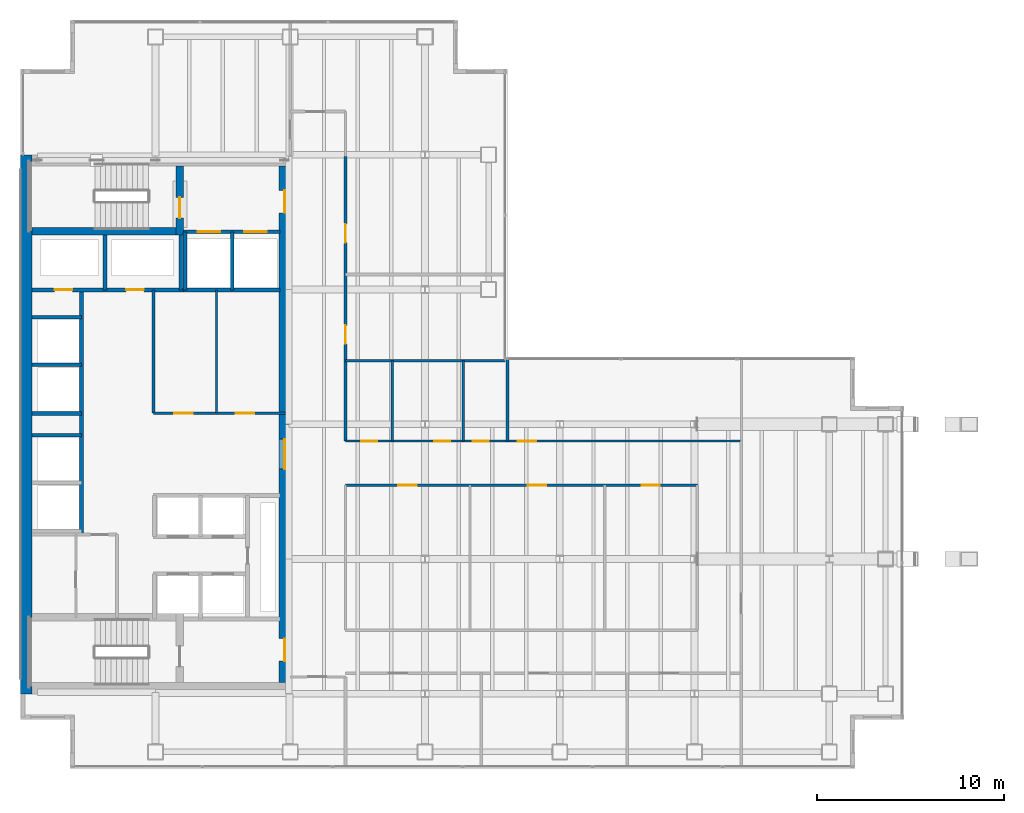
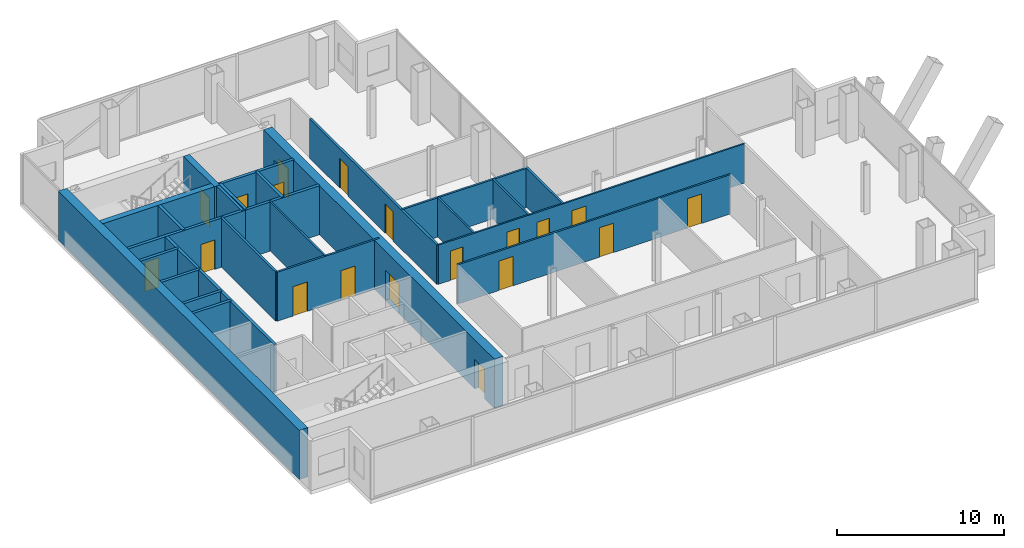
# One storey, part 21 of 23: 26 walls, 19 doors, 19 openings.
"""IFC4 building model written with IfcOpenShell, lengths in metres."""

from ifc_helpers import new_model, si_unit, direction, frame, frame_2d, origin, place, context, subcontext, project, spatial, rectangle, extrude, material, layer, layer_set, type_object, element, fill, save


model = new_model("IFC4")

# Units and contexts
model_context = context("Model", 3, precision=1e-05, world=origin(), true_north=direction((0.0, 1.0)))
body_context = subcontext(model_context, "Body", "Model", "MODEL_VIEW")
ifc_project = project(units=[si_unit("LENGTHUNIT", "METRE"), si_unit("AREAUNIT", "SQUARE_METRE"), si_unit("VOLUMEUNIT", "CUBIC_METRE"), si_unit("PLANEANGLEUNIT", "RADIAN"), si_unit("MASSUNIT", "GRAM", prefix="KILO")], contexts=[model_context])

# Site, building, storey
site_placement = place(None, origin())
site = spatial("IfcSite", under=ifc_project, at=site_placement, CompositionType="ELEMENT")
building_placement = place(site_placement, origin())
building = spatial("IfcBuilding", under=site, at=building_placement, Name="Cobrela Telecom Tower", CompositionType="ELEMENT")
storey_placement = place(building_placement, frame((0.0, 0.0, 159.949951171875)))
storey = spatial("IfcBuildingStorey", under=building, at=storey_placement, Name="L40", CompositionType="ELEMENT", Elevation=159.949951171875)

# Wall
ifc_material_1 = material(Name="Concrete C50/60", Category="concrete")
ifc_layer_1 = layer(ifc_material_1, 0.60009765625)
ifc_layer_set_1 = layer_set([ifc_layer_1], Name="Concrete C50/60")
wall_type_1 = type_object("IfcWallType", Name="WALL-CORE-C50-600", PredefinedType="SHEAR", material=ifc_layer_set_1)
wall_1_placement = place(storey_placement, frame((0.300048828125, 7.199951171875, 0.0), z_axis=(0.0, 0.0, 1.0), x_axis=(0.0, 1.0, 0.0)))
element("IfcWall", 1, at=wall_1_placement, inside=storey, type_object=wall_type_1, Name="L40 West Core Shear Wall", PredefinedType="SHEAR", context=body_context, shape_type="SweptSolid", body=[
    extrude(rectangle(XDim=28.800048828125, YDim=0.60009765625, at=frame_2d((14.39990234375, 0.0))), origin(), (0.0, 0.0, 1.0), 3.580078125),
])

# Wall, openings, doors
wall_2_placement = place(storey_placement, frame((14.10009765625, 35.39990234375, 0.0), z_axis=(0.0, 0.0, 1.0), x_axis=(0.0, -1.0, 0.0)))
wall_2 = element("IfcWall", 2, at=wall_2_placement, inside=storey, type_object=wall_type_1, Name="L40 East Core Shear Wall", PredefinedType="SHEAR", context=body_context, shape_type="SweptSolid", body=[
    extrude(rectangle(XDim=27.599853515625, YDim=0.60009765625, at=frame_2d((13.7998046875, 0.0))), origin(), (0.0, 0.0, 1.0), 3.580078125),
])
opening_1_placement = place(wall_2_placement, frame((1.300048828125, 0.0, 0.0)))
opening_1 = element("IfcOpeningElement", 3, at=opening_1_placement, cuts=wall_2, Name="Opening DR-19", PredefinedType="OPENING", context=body_context, shape_type="SweptSolid", body=[
    extrude(rectangle(XDim=1.199951171875, YDim=2.14990234375, at=frame_2d((0.60009765625, 1.074951171875))), frame((0.0, 0.31201171875, 0.0), z_axis=(0.0, -1.0, 0.0), x_axis=(1.0, 0.0, 0.0)), (0.0, 0.0, 1.0), 0.6240234375),
])
opening_2_placement = place(wall_2_placement, frame((25.25, 0.0, 0.0)))
opening_2 = element("IfcOpeningElement", 4, at=opening_2_placement, cuts=wall_2, Name="Opening DR-19", PredefinedType="OPENING", context=body_context, shape_type="SweptSolid", body=[
    extrude(rectangle(XDim=1.199951171875, YDim=2.14990234375, at=frame_2d((0.60009765625, 1.074951171875))), frame((0.0, 0.31201171875, 0.0), z_axis=(0.0, -1.0, 0.0), x_axis=(1.0, 0.0, 0.0)), (0.0, 0.0, 1.0), 0.6240234375),
])
opening_3_placement = place(wall_2_placement, frame((14.60009765625, 0.0, 0.0)))
opening_3 = element("IfcOpeningElement", 5, at=opening_3_placement, cuts=wall_2, Name="Opening DR-51", PredefinedType="OPENING", context=body_context, shape_type="SweptSolid", body=[
    extrude(rectangle(XDim=1.60009765625, YDim=2.199951171875, at=frame_2d((0.800048828125, 1.10009765625))), frame((0.0, 0.31201171875, 0.0), z_axis=(0.0, -1.0, 0.0), x_axis=(1.0, 0.0, 0.0)), (0.0, 0.0, 1.0), 0.6240234375),
])
ifc_material_2 = material(Name="Steel ASTM A36", Category="steel")
door_type_1 = type_object("IfcDoorType", Name="DOOR-FD60-1200", OperationType="SINGLE_SWING_LEFT", PredefinedType="DOOR", material=ifc_material_2)
door_1_placement = place(opening_1_placement, origin())
door_1 = element("IfcDoor", 6, at=door_1_placement, inside=storey, type_object=door_type_1, Name="L40 Door DR-19", OperationType="SINGLE_SWING_LEFT", OverallHeight=2.14990234375, OverallWidth=1.199951171875, PredefinedType="DOOR", context=body_context, shape_type="SweptSolid", body=[
    extrude(rectangle(XDim=1.199951171875, YDim=2.14990234375, at=frame_2d((0.60009765625, 1.074951171875))), frame((0.0, 0.02490234375, 0.0), z_axis=(0.0, -1.0, 0.0), x_axis=(1.0, 0.0, 0.0)), (0.0, 0.0, 1.0), 0.050048828125),
])
fill(opening_1, door_1)
door_2_placement = place(opening_2_placement, origin())
door_2 = element("IfcDoor", 7, at=door_2_placement, inside=storey, type_object=door_type_1, Name="L40 Door DR-19", OperationType="SINGLE_SWING_RIGHT", OverallHeight=2.14990234375, OverallWidth=1.199951171875, PredefinedType="DOOR", context=body_context, shape_type="SweptSolid", body=[
    extrude(rectangle(XDim=1.199951171875, YDim=2.14990234375, at=frame_2d((0.60009765625, 1.074951171875))), frame((0.0, 0.02490234375, 0.0), z_axis=(0.0, -1.0, 0.0), x_axis=(1.0, 0.0, 0.0)), (0.0, 0.0, 1.0), 0.050048828125),
])
fill(opening_2, door_2)
door_type_2 = type_object("IfcDoorType", Name="DOOR-FD60-1600", OperationType="SINGLE_SWING_LEFT", PredefinedType="DOOR", material=ifc_material_2)
door_3_placement = place(opening_3_placement, origin())
door_3 = element("IfcDoor", 8, at=door_3_placement, inside=storey, type_object=door_type_2, Name="L40 Door DR-51", OperationType="DOUBLE_DOOR_SINGLE_SWING", OverallHeight=2.199951171875, OverallWidth=1.60009765625, PredefinedType="DOOR", context=body_context, shape_type="SweptSolid", body=[
    extrude(rectangle(XDim=1.60009765625, YDim=2.199951171875, at=frame_2d((0.800048828125, 1.10009765625))), frame((0.0, 0.02490234375, 0.0), z_axis=(0.0, -1.0, 0.0), x_axis=(1.0, 0.0, 0.0)), (0.0, 0.0, 1.0), 0.050048828125),
])
fill(opening_3, door_3)

# Wall
ifc_material_3 = material(Name="Fire-Rated Gypsum Plasterboard")
ifc_layer_2 = layer(ifc_material_3, 0.110107421875)
ifc_layer_set_2 = layer_set([ifc_layer_2], Name="Fire-Rated Gypsum Plasterboard")
wall_type_2 = type_object("IfcWallType", Name="WALL-PART-110", PredefinedType="PARTITIONING", material=ifc_layer_set_2)
wall_3_placement = place(storey_placement, frame((10.449951171875, 22.199951171875, 0.0), z_axis=(0.0, 0.0, 1.0), x_axis=(0.0, 1.0, 0.0)))
element("IfcWall", 9, at=wall_3_placement, inside=storey, type_object=wall_type_2, Name="L40 Interior Partition CW-RECL-V", PredefinedType="PARTITIONING", context=body_context, shape_type="SweptSolid", body=[
    extrude(rectangle(XDim=6.580078125, YDim=0.110107421875, at=frame_2d((3.2900390625, 0.0))), origin(), (0.0, 0.0, 1.0), 3.580078125),
])

# Wall, openings, doors
wall_4_placement = place(storey_placement, frame((17.35009765625, 20.699951171875, 0.0), z_axis=(0.0, 0.0, 1.0), x_axis=(1.0, 0.0, 0.0)))
wall_4 = element("IfcWall", 10, at=wall_4_placement, inside=storey, type_object=wall_type_2, Name="L40 Interior Partition W-UN-N", PredefinedType="PARTITIONING", context=body_context, shape_type="SweptSolid", body=[
    extrude(rectangle(XDim=21.14990234375, YDim=0.110107421875, at=frame_2d((10.574951171875, 0.0))), origin(), (0.0, 0.0, 1.0), 2.869140625),
])
opening_4_placement = place(wall_4_placement, frame((0.85009765625, 0.0, 0.0)))
opening_4 = element("IfcOpeningElement", 11, at=opening_4_placement, cuts=wall_4, Name="Opening DR-11", PredefinedType="OPENING", context=body_context, shape_type="SweptSolid", body=[
    extrude(rectangle(XDim=0.85009765625, YDim=2.14990234375, at=frame_2d((0.425048828125, 1.074951171875))), frame((0.0, 0.06689453125, 0.0), z_axis=(0.0, -1.0, 0.0), x_axis=(1.0, 0.0, 0.0)), (0.0, 0.0, 1.0), 0.134033203125),
])
opening_5_placement = place(wall_4_placement, frame((4.75, 0.0, 0.0)))
opening_5 = element("IfcOpeningElement", 12, at=opening_5_placement, cuts=wall_4, Name="Opening DR-11", PredefinedType="OPENING", context=body_context, shape_type="SweptSolid", body=[
    extrude(rectangle(XDim=0.85009765625, YDim=2.14990234375, at=frame_2d((0.425048828125, 1.074951171875))), frame((0.0, 0.06689453125, 0.0), z_axis=(0.0, -1.0, 0.0), x_axis=(1.0, 0.0, 0.0)), (0.0, 0.0, 1.0), 0.134033203125),
])
opening_6_placement = place(wall_4_placement, frame((6.81005859375, 0.0, 0.0)))
opening_6 = element("IfcOpeningElement", 13, at=opening_6_placement, cuts=wall_4, Name="Opening DR-11", PredefinedType="OPENING", context=body_context, shape_type="SweptSolid", body=[
    extrude(rectangle(XDim=0.85009765625, YDim=2.14990234375, at=frame_2d((0.425048828125, 1.074951171875))), frame((0.0, 0.06689453125, 0.0), z_axis=(0.0, -1.0, 0.0), x_axis=(1.0, 0.0, 0.0)), (0.0, 0.0, 1.0), 0.134033203125),
])
opening_7_placement = place(wall_4_placement, frame((9.2099609375, 0.0, 0.0)))
opening_7 = element("IfcOpeningElement", 14, at=opening_7_placement, cuts=wall_4, Name="Opening DR-17", PredefinedType="OPENING", context=body_context, shape_type="SweptSolid", body=[
    extrude(rectangle(XDim=0.97998046875, YDim=2.14990234375, at=frame_2d((0.489990234375, 1.074951171875))), frame((0.0, 0.06689453125, 0.0), z_axis=(0.0, -1.0, 0.0), x_axis=(1.0, 0.0, 0.0)), (0.0, 0.0, 1.0), 0.134033203125),
])
ifc_material_4 = material(Name="Solid Engineered Oak Timber", Category="wood")
door_type_3 = type_object("IfcDoorType", Name="DOOR-INT-850", OperationType="SINGLE_SWING_LEFT", PredefinedType="DOOR", material=ifc_material_4)
door_4_placement = place(opening_4_placement, origin())
door_4 = element("IfcDoor", 15, at=door_4_placement, inside=storey, type_object=door_type_3, Name="L40 Door DR-11", OperationType="SINGLE_SWING_LEFT", OverallHeight=2.14990234375, OverallWidth=0.85009765625, PredefinedType="DOOR", context=body_context, shape_type="SweptSolid", body=[
    extrude(rectangle(XDim=0.85009765625, YDim=2.14990234375, at=frame_2d((0.425048828125, 1.074951171875))), frame((0.0, 0.02490234375, 0.0), z_axis=(0.0, -1.0, 0.0), x_axis=(1.0, 0.0, 0.0)), (0.0, 0.0, 1.0), 0.050048828125),
])
fill(opening_4, door_4)
door_5_placement = place(opening_5_placement, origin())
door_5 = element("IfcDoor", 16, at=door_5_placement, inside=storey, type_object=door_type_3, Name="L40 Door DR-11", OperationType="SINGLE_SWING_RIGHT", OverallHeight=2.14990234375, OverallWidth=0.85009765625, PredefinedType="DOOR", context=body_context, shape_type="SweptSolid", body=[
    extrude(rectangle(XDim=0.85009765625, YDim=2.14990234375, at=frame_2d((0.425048828125, 1.074951171875))), frame((0.0, 0.02490234375, 0.0), z_axis=(0.0, -1.0, 0.0), x_axis=(1.0, 0.0, 0.0)), (0.0, 0.0, 1.0), 0.050048828125),
])
fill(opening_5, door_5)
door_6_placement = place(opening_6_placement, origin())
door_6 = element("IfcDoor", 17, at=door_6_placement, inside=storey, type_object=door_type_3, Name="L40 Door DR-11", OperationType="SINGLE_SWING_LEFT", OverallHeight=2.14990234375, OverallWidth=0.85009765625, PredefinedType="DOOR", context=body_context, shape_type="SweptSolid", body=[
    extrude(rectangle(XDim=0.85009765625, YDim=2.14990234375, at=frame_2d((0.425048828125, 1.074951171875))), frame((0.0, 0.02490234375, 0.0), z_axis=(0.0, -1.0, 0.0), x_axis=(1.0, 0.0, 0.0)), (0.0, 0.0, 1.0), 0.050048828125),
])
fill(opening_6, door_6)
door_type_4 = type_object("IfcDoorType", Name="DOOR-INT-980", OperationType="SINGLE_SWING_LEFT", PredefinedType="DOOR", material=ifc_material_4)
door_7_placement = place(opening_7_placement, origin())
door_7 = element("IfcDoor", 18, at=door_7_placement, inside=storey, type_object=door_type_4, Name="L40 Door DR-17", OperationType="SINGLE_SWING_RIGHT", OverallHeight=2.14990234375, OverallWidth=0.97998046875, PredefinedType="DOOR", context=body_context, shape_type="SweptSolid", body=[
    extrude(rectangle(XDim=0.97998046875, YDim=2.14990234375, at=frame_2d((0.489990234375, 1.074951171875))), frame((0.0, 0.02490234375, 0.0), z_axis=(0.0, -1.0, 0.0), x_axis=(1.0, 0.0, 0.0)), (0.0, 0.0, 1.0), 0.050048828125),
])
fill(opening_7, door_7)

ifc_layer_3 = layer(ifc_material_3, 0.125)
ifc_layer_set_3 = layer_set([ifc_layer_3], Name="Fire-Rated Gypsum Plasterboard")
wall_type_3 = type_object("IfcWallType", Name="WALL-PART-125", PredefinedType="PARTITIONING", material=ifc_layer_set_3)
wall_5_placement = place(storey_placement, frame((17.35009765625, 18.35009765625, 0.0), z_axis=(0.0, 0.0, 1.0), x_axis=(1.0, 0.0, 0.0)))
wall_5 = element("IfcWall", 19, at=wall_5_placement, inside=storey, type_object=wall_type_3, Name="L40 Interior Partition W-ISL-N", PredefinedType="PARTITIONING", context=body_context, shape_type="SweptSolid", body=[
    extrude(rectangle(XDim=18.7998046875, YDim=0.125, at=frame_2d((9.39990234375, 0.0))), origin(), (0.0, 0.0, 1.0), 2.869140625),
])
opening_8_placement = place(wall_5_placement, frame((2.820068359375, 0.0, 0.0)))
opening_8 = element("IfcOpeningElement", 20, at=opening_8_placement, cuts=wall_5, Name="Opening DR-17", PredefinedType="OPENING", context=body_context, shape_type="SweptSolid", body=[
    extrude(rectangle(XDim=0.97998046875, YDim=2.14990234375, at=frame_2d((0.489990234375, 1.074951171875))), frame((0.0, 0.074462890625, 0.0), z_axis=(0.0, -1.0, 0.0), x_axis=(1.0, 0.0, 0.0)), (0.0, 0.0, 1.0), 0.14892578125),
])
opening_9_placement = place(wall_5_placement, frame((9.75, 0.0, 0.0)))
opening_9 = element("IfcOpeningElement", 21, at=opening_9_placement, cuts=wall_5, Name="Opening DR-17", PredefinedType="OPENING", context=body_context, shape_type="SweptSolid", body=[
    extrude(rectangle(XDim=0.97998046875, YDim=2.14990234375, at=frame_2d((0.489990234375, 1.074951171875))), frame((0.0, 0.074462890625, 0.0), z_axis=(0.0, -1.0, 0.0), x_axis=(1.0, 0.0, 0.0)), (0.0, 0.0, 1.0), 0.14892578125),
])
opening_10_placement = place(wall_5_placement, frame((15.820068359375, 0.0, 0.0)))
opening_10 = element("IfcOpeningElement", 22, at=opening_10_placement, cuts=wall_5, Name="Opening DR-17", PredefinedType="OPENING", context=body_context, shape_type="SweptSolid", body=[
    extrude(rectangle(XDim=0.97998046875, YDim=2.14990234375, at=frame_2d((0.489990234375, 1.074951171875))), frame((0.0, 0.074462890625, 0.0), z_axis=(0.0, -1.0, 0.0), x_axis=(1.0, 0.0, 0.0)), (0.0, 0.0, 1.0), 0.14892578125),
])
door_8_placement = place(opening_8_placement, origin())
door_8 = element("IfcDoor", 23, at=door_8_placement, inside=storey, type_object=door_type_4, Name="L40 Door DR-17", OperationType="SINGLE_SWING_LEFT", OverallHeight=2.14990234375, OverallWidth=0.97998046875, PredefinedType="DOOR", context=body_context, shape_type="SweptSolid", body=[
    extrude(rectangle(XDim=0.97998046875, YDim=2.14990234375, at=frame_2d((0.489990234375, 1.074951171875))), frame((0.0, 0.02490234375, 0.0), z_axis=(0.0, -1.0, 0.0), x_axis=(1.0, 0.0, 0.0)), (0.0, 0.0, 1.0), 0.050048828125),
])
fill(opening_8, door_8)
door_9_placement = place(opening_9_placement, origin())
door_9 = element("IfcDoor", 24, at=door_9_placement, inside=storey, type_object=door_type_4, Name="L40 Door DR-17", OperationType="SINGLE_SWING_RIGHT", OverallHeight=2.14990234375, OverallWidth=0.97998046875, PredefinedType="DOOR", context=body_context, shape_type="SweptSolid", body=[
    extrude(rectangle(XDim=0.97998046875, YDim=2.14990234375, at=frame_2d((0.489990234375, 1.074951171875))), frame((0.0, 0.02490234375, 0.0), z_axis=(0.0, -1.0, 0.0), x_axis=(1.0, 0.0, 0.0)), (0.0, 0.0, 1.0), 0.050048828125),
])
fill(opening_9, door_9)
door_10_placement = place(opening_10_placement, origin())
door_10 = element("IfcDoor", 25, at=door_10_placement, inside=storey, type_object=door_type_4, Name="L40 Door DR-17", OperationType="SINGLE_SWING_LEFT", OverallHeight=2.14990234375, OverallWidth=0.97998046875, PredefinedType="DOOR", context=body_context, shape_type="SweptSolid", body=[
    extrude(rectangle(XDim=0.97998046875, YDim=2.14990234375, at=frame_2d((0.489990234375, 1.074951171875))), frame((0.0, 0.02490234375, 0.0), z_axis=(0.0, -1.0, 0.0), x_axis=(1.0, 0.0, 0.0)), (0.0, 0.0, 1.0), 0.050048828125),
])
fill(opening_10, door_10)

# Walls
for number, where, z_axis, x_axis, name in (
    (26, (19.85009765625, 20.699951171875, 0.0), (0.0, 0.0, 1.0), (0.0, 1.0, 0.0), "L40 Interior Partition W-WC-V1"),
    (27, (23.64990234375, 20.699951171875, 0.0), (0.0, 0.0, 1.0), (0.0, 1.0, 0.0), "L40 Interior Partition W-WC-V2"),
):
    element("IfcWall", number, at=place(storey_placement, frame(where, z_axis=z_axis, x_axis=x_axis)), inside=storey, type_object=wall_type_3, Name=name, PredefinedType="PARTITIONING", context=body_context, shape_type="SweptSolid", body=[
        extrude(rectangle(XDim=4.300048828125, YDim=0.125, at=frame_2d((2.14990234375, 0.0))), origin(), (0.0, 0.0, 1.0), 2.869140625),
    ])

# Wall, openings, doors
ifc_layer_4 = layer(ifc_material_3, 0.135009765625)
ifc_layer_set_4 = layer_set([ifc_layer_4], Name="Fire-Rated Gypsum Plasterboard")
wall_type_4 = type_object("IfcWallType", Name="WALL-PART-135", PredefinedType="PARTITIONING", material=ifc_layer_set_4)
wall_6_placement = place(storey_placement, frame((7.10009765625, 22.199951171875, 0.0), z_axis=(0.0, 0.0, 1.0), x_axis=(1.0, 0.0, 0.0)))
wall_6 = element("IfcWall", 28, at=wall_6_placement, inside=storey, type_object=wall_type_4, Name="L40 Interior Partition CW-RECL-S", PredefinedType="PARTITIONING", context=body_context, shape_type="SweptSolid", body=[
    extrude(rectangle(XDim=7.0498046875, YDim=0.135009765625, at=frame_2d((3.52490234375, 0.0))), origin(), (0.0, 0.0, 1.0), 3.580078125),
])
opening_11_placement = place(wall_6_placement, frame((1.10009765625, 0.0, 0.0)))
opening_11 = element("IfcOpeningElement", 29, at=opening_11_placement, cuts=wall_6, Name="Opening DR-17", PredefinedType="OPENING", context=body_context, shape_type="SweptSolid", body=[
    extrude(rectangle(XDim=0.97998046875, YDim=2.14990234375, at=frame_2d((0.489990234375, 1.074951171875))), frame((0.0, 0.07958984375, 0.0), z_axis=(0.0, -1.0, 0.0), x_axis=(1.0, 0.0, 0.0)), (0.0, 0.0, 1.0), 0.158935546875),
])
opening_12_placement = place(wall_6_placement, frame((4.39990234375, 0.0, 0.0)))
opening_12 = element("IfcOpeningElement", 30, at=opening_12_placement, cuts=wall_6, Name="Opening DR-17", PredefinedType="OPENING", context=body_context, shape_type="SweptSolid", body=[
    extrude(rectangle(XDim=0.97998046875, YDim=2.14990234375, at=frame_2d((0.489990234375, 1.074951171875))), frame((0.0, 0.07958984375, 0.0), z_axis=(0.0, -1.0, 0.0), x_axis=(1.0, 0.0, 0.0)), (0.0, 0.0, 1.0), 0.158935546875),
])
door_11_placement = place(opening_11_placement, origin())
door_11 = element("IfcDoor", 31, at=door_11_placement, inside=storey, type_object=door_type_4, Name="L40 Door DR-17", OperationType="SINGLE_SWING_LEFT", OverallHeight=2.14990234375, OverallWidth=0.97998046875, PredefinedType="DOOR", context=body_context, shape_type="SweptSolid", body=[
    extrude(rectangle(XDim=0.97998046875, YDim=2.14990234375, at=frame_2d((0.489990234375, 1.074951171875))), frame((0.0, 0.02490234375, 0.0), z_axis=(0.0, -1.0, 0.0), x_axis=(1.0, 0.0, 0.0)), (0.0, 0.0, 1.0), 0.050048828125),
])
fill(opening_11, door_11)
door_12_placement = place(opening_12_placement, origin())
door_12 = element("IfcDoor", 32, at=door_12_placement, inside=storey, type_object=door_type_4, Name="L40 Door DR-17", OperationType="SINGLE_SWING_RIGHT", OverallHeight=2.14990234375, OverallWidth=0.97998046875, PredefinedType="DOOR", context=body_context, shape_type="SweptSolid", body=[
    extrude(rectangle(XDim=0.97998046875, YDim=2.14990234375, at=frame_2d((0.489990234375, 1.074951171875))), frame((0.0, 0.02490234375, 0.0), z_axis=(0.0, -1.0, 0.0), x_axis=(1.0, 0.0, 0.0)), (0.0, 0.0, 1.0), 0.050048828125),
])
fill(opening_12, door_12)

# Walls
wall_7_placement = place(storey_placement, frame((17.35009765625, 25.0, 0.0), z_axis=(0.0, 0.0, 1.0), x_axis=(1.0, 0.0, 0.0)))
element("IfcWall", 33, at=wall_7_placement, inside=storey, type_object=wall_type_4, Name="L40 Interior Partition W-WC-N", PredefinedType="PARTITIONING", context=body_context, shape_type="SweptSolid", body=[
    extrude(rectangle(XDim=8.52978515625, YDim=0.135009765625, at=frame_2d((4.264892578125, 0.0))), origin(), (0.0, 0.0, 1.0), 2.869140625),
])
ifc_layer_5 = layer(ifc_material_3, 0.14990234375)
ifc_layer_set_5 = layer_set([ifc_layer_5], Name="Fire-Rated Gypsum Plasterboard")
wall_type_5 = type_object("IfcWallType", Name="WALL-PART-150", PredefinedType="PARTITIONING", material=ifc_layer_set_5)
wall_8_placement = place(storey_placement, frame((7.10009765625, 22.199951171875, 0.0), z_axis=(0.0, 0.0, 1.0), x_axis=(0.0, 1.0, 0.0)))
element("IfcWall", 34, at=wall_8_placement, inside=storey, type_object=wall_type_5, Name="L40 Interior Partition CW-RECL-W", PredefinedType="PARTITIONING", context=body_context, shape_type="SweptSolid", body=[
    extrude(rectangle(XDim=6.580078125, YDim=0.14990234375, at=frame_2d((3.2900390625, 0.0))), origin(), (0.0, 0.0, 1.0), 3.580078125),
])
wall_9_placement = place(storey_placement, frame((26.0, 20.699951171875, 0.0), z_axis=(0.0, 0.0, 1.0), x_axis=(0.0, 1.0, 0.0)))
element("IfcWall", 35, at=wall_9_placement, inside=storey, type_object=wall_type_5, Name="L40 Interior Partition W-UEN-W", PredefinedType="PARTITIONING", context=body_context, shape_type="SweptSolid", body=[
    extrude(rectangle(XDim=4.380126953125, YDim=0.14990234375, at=frame_2d((2.18994140625, 0.0))), origin(), (0.0, 0.0, 1.0), 2.869140625),
])

# Wall, openings, doors
ifc_layer_6 = layer(ifc_material_3, 0.159912109375)
ifc_layer_set_6 = layer_set([ifc_layer_6], Name="Fire-Rated Gypsum Plasterboard")
wall_type_6 = type_object("IfcWallType", Name="WALL-PART-160", PredefinedType="PARTITIONING", material=ifc_layer_set_6)
wall_10_placement = place(storey_placement, frame((17.35009765625, 20.699951171875, 0.0), z_axis=(0.0, 0.0, 1.0), x_axis=(0.0, 1.0, 0.0)))
wall_10 = element("IfcWall", 36, at=wall_10_placement, inside=storey, type_object=wall_type_6, Name="L40 Interior Partition W-UW-E2", PredefinedType="PARTITIONING", context=body_context, shape_type="SweptSolid", body=[
    extrude(rectangle(XDim=15.199951171875, YDim=0.159912109375, at=frame_2d((7.60009765625, 0.0))), origin(), (0.0, 0.0, 1.0), 2.869140625),
])
opening_13_placement = place(wall_10_placement, frame((5.199951171875, 0.0, 0.0)))
opening_13 = element("IfcOpeningElement", 37, at=opening_13_placement, cuts=wall_10, Name="Opening DR-17", PredefinedType="OPENING", context=body_context, shape_type="SweptSolid", body=[
    extrude(rectangle(XDim=0.97998046875, YDim=2.14990234375, at=frame_2d((0.489990234375, 1.074951171875))), frame((0.0, 0.091796875, 0.0), z_axis=(0.0, -1.0, 0.0), x_axis=(1.0, 0.0, 0.0)), (0.0, 0.0, 1.0), 0.183837890625),
])
opening_14_placement = place(wall_10_placement, frame((10.60009765625, 0.0, 0.0)))
opening_14 = element("IfcOpeningElement", 38, at=opening_14_placement, cuts=wall_10, Name="Opening DR-31", PredefinedType="OPENING", context=body_context, shape_type="SweptSolid", body=[
    extrude(rectangle(XDim=1.0, YDim=2.14990234375, at=frame_2d((0.5, 1.074951171875))), frame((0.0, 0.091796875, 0.0), z_axis=(0.0, -1.0, 0.0), x_axis=(1.0, 0.0, 0.0)), (0.0, 0.0, 1.0), 0.183837890625),
])
door_type_5 = type_object("IfcDoorType", Name="DOOR-INT-1000", OperationType="SINGLE_SWING_LEFT", PredefinedType="DOOR", material=ifc_material_4)
door_13_placement = place(opening_14_placement, origin())
door_13 = element("IfcDoor", 39, at=door_13_placement, inside=storey, type_object=door_type_5, Name="L40 Door DR-31", OperationType="SINGLE_SWING_LEFT", OverallHeight=2.14990234375, OverallWidth=1.0, PredefinedType="DOOR", context=body_context, shape_type="SweptSolid", body=[
    extrude(rectangle(XDim=1.0, YDim=2.14990234375, at=frame_2d((0.5, 1.074951171875))), frame((0.0, 0.02490234375, 0.0), z_axis=(0.0, -1.0, 0.0), x_axis=(1.0, 0.0, 0.0)), (0.0, 0.0, 1.0), 0.050048828125),
])
fill(opening_14, door_13)
door_14_placement = place(opening_13_placement, origin())
door_14 = element("IfcDoor", 40, at=door_14_placement, inside=storey, type_object=door_type_4, Name="L40 Door DR-17", OperationType="SINGLE_SWING_RIGHT", OverallHeight=2.14990234375, OverallWidth=0.97998046875, PredefinedType="DOOR", context=body_context, shape_type="SweptSolid", body=[
    extrude(rectangle(XDim=0.97998046875, YDim=2.14990234375, at=frame_2d((0.489990234375, 1.074951171875))), frame((0.0, 0.02490234375, 0.0), z_axis=(0.0, -1.0, 0.0), x_axis=(1.0, 0.0, 0.0)), (0.0, 0.0, 1.0), 0.050048828125),
])
fill(opening_13, door_14)

ifc_layer_7 = layer(ifc_material_3, 0.199951171875)
ifc_layer_set_7 = layer_set([ifc_layer_7], Name="Fire-Rated Gypsum Plasterboard")
wall_type_7 = type_object("IfcWallType", Name="WALL-SHAFT-200", PredefinedType="PARTITIONING", material=ifc_layer_set_7)
wall_11_placement = place(storey_placement, frame((8.699951171875, 31.8798828125, 0.0), z_axis=(0.0, 0.0, 1.0), x_axis=(1.0, 0.0, 0.0)))
wall_11 = element("IfcWall", 41, at=wall_11_placement, inside=storey, type_object=wall_type_7, Name="L40 Shaft Enclosure CW-FFL-S", PredefinedType="PARTITIONING", context=body_context, shape_type="SweptSolid", body=[
    extrude(rectangle(XDim=5.150146484375, YDim=0.199951171875, at=frame_2d((2.5751953125, 0.0))), origin(), (0.0, 0.0, 1.0), 3.580078125),
])
opening_15_placement = place(wall_11_placement, frame((0.75, 0.0, 0.0)))
opening_15 = element("IfcOpeningElement", 42, at=opening_15_placement, cuts=wall_11, Name="Opening LD-2", PredefinedType="OPENING", context=body_context, shape_type="SweptSolid", body=[
    extrude(rectangle(XDim=1.199951171875, YDim=2.199951171875, at=frame_2d((0.60009765625, 1.10009765625))), frame((0.0, 0.11181640625, 0.0), z_axis=(0.0, -1.0, 0.0), x_axis=(1.0, 0.0, 0.0)), (0.0, 0.0, 1.0), 0.223876953125),
])
opening_16_placement = place(wall_11_placement, frame((3.25, 0.0, 0.0)))
opening_16 = element("IfcOpeningElement", 43, at=opening_16_placement, cuts=wall_11, Name="Opening LD-2", PredefinedType="OPENING", context=body_context, shape_type="SweptSolid", body=[
    extrude(rectangle(XDim=1.199951171875, YDim=2.199951171875, at=frame_2d((0.60009765625, 1.10009765625))), frame((0.0, 0.11181640625, 0.0), z_axis=(0.0, -1.0, 0.0), x_axis=(1.0, 0.0, 0.0)), (0.0, 0.0, 1.0), 0.223876953125),
])
door_type_6 = type_object("IfcDoorType", Name="DOOR-LD-FFL", OperationType="SINGLE_SWING_LEFT", PredefinedType="DOOR", material=ifc_material_2)
door_15_placement = place(opening_15_placement, origin())
door_15 = element("IfcDoor", 44, at=door_15_placement, inside=storey, type_object=door_type_6, Name="L40 Lift Landing Door LD-2", OperationType="DOUBLE_DOOR_SLIDING", OverallHeight=2.199951171875, OverallWidth=1.199951171875, PredefinedType="DOOR", context=body_context, shape_type="SweptSolid", body=[
    extrude(rectangle(XDim=1.199951171875, YDim=2.199951171875, at=frame_2d((0.60009765625, 1.10009765625))), frame((0.0, 0.02490234375, 0.0), z_axis=(0.0, -1.0, 0.0), x_axis=(1.0, 0.0, 0.0)), (0.0, 0.0, 1.0), 0.050048828125),
])
fill(opening_15, door_15)
door_16_placement = place(opening_16_placement, origin())
door_16 = element("IfcDoor", 45, at=door_16_placement, inside=storey, type_object=door_type_6, Name="L40 Lift Landing Door LD-2", OperationType="DOUBLE_DOOR_SLIDING", OverallHeight=2.199951171875, OverallWidth=1.199951171875, PredefinedType="DOOR", context=body_context, shape_type="SweptSolid", body=[
    extrude(rectangle(XDim=1.199951171875, YDim=2.199951171875, at=frame_2d((0.60009765625, 1.10009765625))), frame((0.0, 0.02490234375, 0.0), z_axis=(0.0, -1.0, 0.0), x_axis=(1.0, 0.0, 0.0)), (0.0, 0.0, 1.0), 0.050048828125),
])
fill(opening_16, door_16)

# Walls
wall_12_placement = place(storey_placement, frame((8.699951171875, 28.780029296875, 0.0), z_axis=(0.0, 0.0, 1.0), x_axis=(1.0, 0.0, 0.0)))
element("IfcWall", 46, at=wall_12_placement, inside=storey, type_object=wall_type_7, Name="L40 Shaft Enclosure CW-FFL-S2", PredefinedType="PARTITIONING", context=body_context, shape_type="SweptSolid", body=[
    extrude(rectangle(XDim=5.150146484375, YDim=0.199951171875, at=frame_2d((2.5751953125, 0.0))), origin(), (0.0, 0.0, 1.0), 3.580078125),
])
for number, where, z_axis, x_axis, name in (
    (47, (8.780029296875, 28.780029296875, 0.0), (0.0, 0.0, 1.0), (0.0, 1.0, 0.0), "L40 Shaft Enclosure CW-FFL-W"),
    (48, (11.300048828125, 28.780029296875, 0.0), (0.0, 0.0, 1.0), (0.0, 1.0, 0.0), "L40 Shaft Enclosure CW-FFL-M"),
):
    element("IfcWall", number, at=place(storey_placement, frame(where, z_axis=z_axis, x_axis=x_axis)), inside=storey, type_object=wall_type_7, Name=name, PredefinedType="PARTITIONING", context=body_context, shape_type="SweptSolid", body=[
        extrude(rectangle(XDim=3.099853515625, YDim=0.199951171875, at=frame_2d((1.5498046875, 0.0))), origin(), (0.0, 0.0, 1.0), 3.580078125),
    ])

# Wall, openings, doors
wall_13_placement = place(storey_placement, frame((0.60009765625, 28.780029296875, 0.0), z_axis=(0.0, 0.0, 1.0), x_axis=(1.0, 0.0, 0.0)))
wall_13 = element("IfcWall", 49, at=wall_13_placement, inside=storey, type_object=wall_type_7, Name="L40 Shaft Enclosure CW-RIS-S", PredefinedType="PARTITIONING", context=body_context, shape_type="SweptSolid", body=[
    extrude(rectangle(XDim=8.179931640625, YDim=0.199951171875, at=frame_2d((4.08984375, 0.0))), origin(), (0.0, 0.0, 1.0), 3.580078125),
])
opening_17_placement = place(wall_13_placement, frame((1.2099609375, 0.0, 0.0)))
opening_17 = element("IfcOpeningElement", 50, at=opening_17_placement, cuts=wall_13, Name="Opening DR-65", PredefinedType="OPENING", context=body_context, shape_type="SweptSolid", body=[
    extrude(rectangle(XDim=0.949951171875, YDim=2.14990234375, at=frame_2d((0.47509765625, 1.074951171875))), frame((0.0, 0.11181640625, 0.0), z_axis=(0.0, -1.0, 0.0), x_axis=(1.0, 0.0, 0.0)), (0.0, 0.0, 1.0), 0.223876953125),
])
opening_18_placement = place(wall_13_placement, frame((5.030029296875, 0.0, 0.0)))
opening_18 = element("IfcOpeningElement", 51, at=opening_18_placement, cuts=wall_13, Name="Opening DR-65", PredefinedType="OPENING", context=body_context, shape_type="SweptSolid", body=[
    extrude(rectangle(XDim=0.949951171875, YDim=2.14990234375, at=frame_2d((0.47509765625, 1.074951171875))), frame((0.0, 0.11181640625, 0.0), z_axis=(0.0, -1.0, 0.0), x_axis=(1.0, 0.0, 0.0)), (0.0, 0.0, 1.0), 0.223876953125),
])
door_type_7 = type_object("IfcDoorType", Name="DOOR-FD60-950", OperationType="SINGLE_SWING_LEFT", PredefinedType="DOOR", material=ifc_material_2)
door_17_placement = place(opening_17_placement, origin())
door_17 = element("IfcDoor", 52, at=door_17_placement, inside=storey, type_object=door_type_7, Name="L40 Door DR-65", OperationType="SINGLE_SWING_LEFT", OverallHeight=2.14990234375, OverallWidth=0.949951171875, PredefinedType="DOOR", context=body_context, shape_type="SweptSolid", body=[
    extrude(rectangle(XDim=0.949951171875, YDim=2.14990234375, at=frame_2d((0.47509765625, 1.074951171875))), frame((0.0, 0.02490234375, 0.0), z_axis=(0.0, -1.0, 0.0), x_axis=(1.0, 0.0, 0.0)), (0.0, 0.0, 1.0), 0.050048828125),
])
fill(opening_17, door_17)
door_18_placement = place(opening_18_placement, origin())
door_18 = element("IfcDoor", 53, at=door_18_placement, inside=storey, type_object=door_type_7, Name="L40 Door DR-65", OperationType="SINGLE_SWING_RIGHT", OverallHeight=2.14990234375, OverallWidth=0.949951171875, PredefinedType="DOOR", context=body_context, shape_type="SweptSolid", body=[
    extrude(rectangle(XDim=0.949951171875, YDim=2.14990234375, at=frame_2d((0.47509765625, 1.074951171875))), frame((0.0, 0.02490234375, 0.0), z_axis=(0.0, -1.0, 0.0), x_axis=(1.0, 0.0, 0.0)), (0.0, 0.0, 1.0), 0.050048828125),
])
fill(opening_18, door_18)

# Walls
for number, where, z_axis, x_axis, name in (
    (54, (4.5, 28.780029296875, 0.0), (0.0, 0.0, 1.0), (0.0, 1.0, 0.0), "L40 Shaft Enclosure CW-RIS-M"),
    (55, (8.550048828125, 28.780029296875, 0.0), (0.0, 0.0, 1.0), (0.0, 1.0, 0.0), "L40 Shaft Enclosure CW-RIS-E"),
):
    element("IfcWall", number, at=place(storey_placement, frame(where, z_axis=z_axis, x_axis=x_axis)), inside=storey, type_object=wall_type_7, Name=name, PredefinedType="PARTITIONING", context=body_context, shape_type="SweptSolid", body=[
        extrude(rectangle(XDim=2.93994140625, YDim=0.199951171875, at=frame_2d((1.469970703125, 0.0))), origin(), (0.0, 0.0, 1.0), 3.580078125),
    ])
wall_14_placement = place(storey_placement, frame((3.25, 15.699951171875, 0.0), z_axis=(0.0, 0.0, 1.0), x_axis=(0.0, 1.0, 0.0)))
element("IfcWall", 56, at=wall_14_placement, inside=storey, type_object=wall_type_7, Name="L40 Shaft Enclosure CW-PLH-E", PredefinedType="PARTITIONING", context=body_context, shape_type="SweptSolid", body=[
    extrude(rectangle(XDim=13.080078125, YDim=0.199951171875, at=frame_2d((6.5400390625, 0.0))), origin(), (0.0, 0.0, 1.0), 3.580078125),
])
for number, where, z_axis, x_axis, name in (
    (57, (0.60009765625, 22.179931640625, 0.0), (0.0, 0.0, 1.0), (1.0, 0.0, 0.0), "L40 Shaft Enclosure CW-PLH-D11"),
    (58, (0.60009765625, 24.780029296875, 0.0), (0.0, 0.0, 1.0), (1.0, 0.0, 0.0), "L40 Shaft Enclosure CW-PLH-D12"),
    (59, (0.60009765625, 21.02001953125, 0.0), (0.0, 0.0, 1.0), (1.0, 0.0, 0.0), "L40 Shaft Enclosure CW-PLH-MID"),
    (60, (0.60009765625, 27.320068359375, 0.0), (0.0, 0.0, 1.0), (1.0, 0.0, 0.0), "L40 Shaft Enclosure CW-PLH-TOP"),
):
    element("IfcWall", number, at=place(storey_placement, frame(where, z_axis=z_axis, x_axis=x_axis)), inside=storey, type_object=wall_type_7, Name=name, PredefinedType="PARTITIONING", context=body_context, shape_type="SweptSolid", body=[
        extrude(rectangle(XDim=2.64990234375, YDim=0.199951171875, at=frame_2d((1.324951171875, 0.0))), origin(), (0.0, 0.0, 1.0), 3.580078125),
    ])
ifc_material_5 = material(Name="Concrete C40/50", Category="concrete")
ifc_layer_8 = layer(ifc_material_5, 0.39990234375)
ifc_layer_set_8 = layer_set([ifc_layer_8], Name="Concrete C40/50")
wall_type_8 = type_object("IfcWallType", Name="WALL-SHAFT-C40-400", PredefinedType="SHEAR", material=ifc_layer_set_8)
wall_15_placement = place(storey_placement, frame((0.60009765625, 31.919921875, 0.0), z_axis=(0.0, 0.0, 1.0), x_axis=(1.0, 0.0, 0.0)))
element("IfcWall", 61, at=wall_15_placement, inside=storey, type_object=wall_type_8, Name="L40 North Stair Shear Wall", PredefinedType="SHEAR", context=body_context, shape_type="SweptSolid", body=[
    extrude(rectangle(XDim=7.699951171875, YDim=0.39990234375, at=frame_2d((3.85009765625, 0.0))), origin(), (0.0, 0.0, 1.0), 3.580078125),
])

# Wall, opening, door
wall_16_placement = place(storey_placement, frame((8.5, 31.719970703125, 0.0), z_axis=(0.0, 0.0, 1.0), x_axis=(0.0, 1.0, 0.0)))
wall_16 = element("IfcWall", 62, at=wall_16_placement, inside=storey, type_object=wall_type_8, Name="L40 North Stair Lobby Shear Wall", PredefinedType="SHEAR", context=body_context, shape_type="SweptSolid", body=[
    extrude(rectangle(XDim=3.679931640625, YDim=0.39990234375, at=frame_2d((1.83984375, 0.0))), origin(), (0.0, 0.0, 1.0), 3.580078125),
])
opening_19_placement = place(wall_16_placement, frame((0.89990234375, 0.0, 0.0)))
opening_19 = element("IfcOpeningElement", 63, at=opening_19_placement, cuts=wall_16, Name="Opening DR-59", PredefinedType="OPENING", context=body_context, shape_type="SweptSolid", body=[
    extrude(rectangle(XDim=1.10009765625, YDim=2.14990234375, at=frame_2d((0.550048828125, 1.074951171875))), frame((0.0, 0.2119140625, 0.0), z_axis=(0.0, -1.0, 0.0), x_axis=(1.0, 0.0, 0.0)), (0.0, 0.0, 1.0), 0.423828125),
])
door_type_8 = type_object("IfcDoorType", Name="DOOR-FD60-1100", OperationType="SINGLE_SWING_LEFT", PredefinedType="DOOR", material=ifc_material_2)
door_19_placement = place(opening_19_placement, origin())
door_19 = element("IfcDoor", 64, at=door_19_placement, inside=storey, type_object=door_type_8, Name="L40 Door DR-59", OperationType="SINGLE_SWING_RIGHT", OverallHeight=2.14990234375, OverallWidth=1.10009765625, PredefinedType="DOOR", context=body_context, shape_type="SweptSolid", body=[
    extrude(rectangle(XDim=1.10009765625, YDim=2.14990234375, at=frame_2d((0.550048828125, 1.074951171875))), frame((0.0, 0.02490234375, 0.0), z_axis=(0.0, -1.0, 0.0), x_axis=(1.0, 0.0, 0.0)), (0.0, 0.0, 1.0), 0.050048828125),
])
fill(opening_19, door_19)

save(model, "model.ifc")
